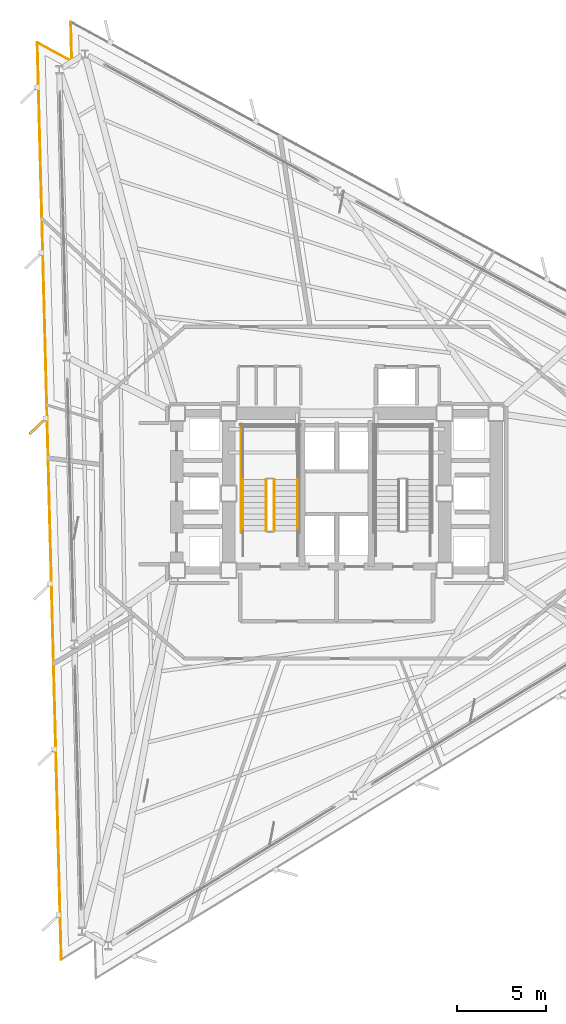
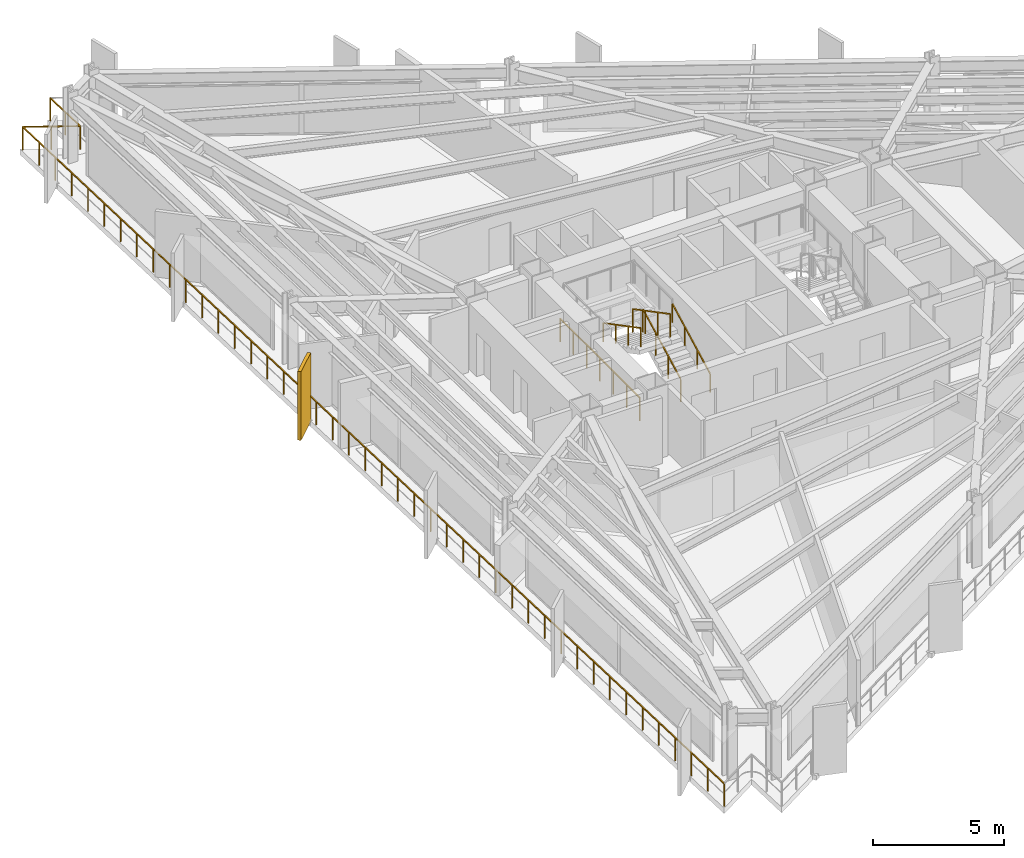
# One storey, part 12 of 14: 6 railings, 1 shading device.
"""IFC4 building model written with IfcOpenShell, lengths in metres."""

from ifc_helpers import new_model, si_unit, direction, frame, origin, origin_2d, place, context, subcontext, project, spatial, rectangle, extrude, material, layer, layer_set, type_object, element, save


model = new_model("IFC4")

# Units and contexts
model_context = context("Model", 3, precision=1e-05, world=origin(), true_north=direction((0.0, 1.0)))
body_context = subcontext(model_context, "Body", "Model", "MODEL_VIEW")
ifc_project = project(units=[si_unit("LENGTHUNIT", "METRE"), si_unit("AREAUNIT", "SQUARE_METRE"), si_unit("VOLUMEUNIT", "CUBIC_METRE"), si_unit("PLANEANGLEUNIT", "RADIAN"), si_unit("MASSUNIT", "GRAM", prefix="KILO")], contexts=[model_context])

# Site, building, storey
site_placement = place(None, origin())
site = spatial("IfcSite", under=ifc_project, at=site_placement, CompositionType="ELEMENT")
building_placement = place(site_placement, origin())
building = spatial("IfcBuilding", under=site, at=building_placement, Name="Rocaltana Carrier Exchange", CompositionType="ELEMENT")
storey_placement = place(building_placement, frame((0.0, 0.0, 32.320068359375)))
storey = spatial("IfcBuildingStorey", under=building, at=storey_placement, Name="L10", CompositionType="ELEMENT", Elevation=32.320068359375)

# Railings
ifc_material_1 = material(Name="Brushed Architectural Stainless Tube", Category="steel")
ifc_layer_1 = layer(ifc_material_1, 0.048095703125)
ifc_layer_set_1 = layer_set([ifc_layer_1], Name="Brushed Architectural Stainless Tube")
railing_type_1 = type_object("IfcRailingType", Name="Stair Wall Handrail 920", PredefinedType="HANDRAIL", material=ifc_layer_set_1)
railing_1_placement = place(storey_placement, frame((-2.18994140625, -2.10009765625, 0.16796875)))
element("IfcRailing", 1, at=railing_1_placement, inside=storey, type_object=railing_type_1, Name="L10 ST-1 stair handrail 1", PredefinedType="HANDRAIL", context=body_context, shape_type="SweptSolid", body=[
    extrude(rectangle(XDim=0.048095703125, YDim=0.048095703125, at=origin_2d()), frame((0.0, 0.0, 0.8759765625), z_axis=(0.0, 0.885411030485, 0.464808893091), x_axis=(-1.0, 0.0, 0.0)), (0.0, 0.0, 1.0), 3.2529296875),
    extrude(rectangle(XDim=0.0419921875, YDim=0.0419921875, at=origin_2d()), origin(), (0.0, 0.0, 1.0), 0.851806640625),
    extrude(rectangle(XDim=0.0419921875, YDim=0.0419921875, at=origin_2d()), frame((0.0, 0.9599609375, 0.50390625)), (0.0, 0.0, 1.0), 0.851806640625),
    extrude(rectangle(XDim=0.0419921875, YDim=0.0419921875, at=origin_2d()), frame((0.0, 1.920166015625, 1.008056640625)), (0.0, 0.0, 1.0), 0.851806640625),
    extrude(rectangle(XDim=0.0419921875, YDim=0.0419921875, at=origin_2d()), frame((0.0, 2.880126953125, 1.511962890625)), (0.0, 0.0, 1.0), 0.851806640625),
])
railing_2_placement = place(storey_placement, frame((-5.25, 0.780029296875, 1.847900390625)))
element("IfcRailing", 2, at=railing_2_placement, inside=storey, type_object=railing_type_1, Name="L10 ST-1 stair handrail 2", PredefinedType="HANDRAIL", context=body_context, shape_type="SweptSolid", body=[
    extrude(rectangle(XDim=0.048095703125, YDim=0.048095703125, at=origin_2d()), frame((0.0, 0.0, 0.8759765625), z_axis=(0.0, -0.885411030485, 0.464808893091), x_axis=(1.0, 0.0, 0.0)), (0.0, 0.0, 1.0), 3.2529296875),
    extrude(rectangle(XDim=0.0419921875, YDim=0.0419921875, at=origin_2d()), origin(), (0.0, 0.0, 1.0), 0.851806640625),
    extrude(rectangle(XDim=0.0419921875, YDim=0.0419921875, at=origin_2d()), frame((0.0, -0.9599609375, 0.50390625)), (0.0, 0.0, 1.0), 0.851806640625),
    extrude(rectangle(XDim=0.0419921875, YDim=0.0419921875, at=origin_2d()), frame((0.0, -1.920166015625, 1.008056640625)), (0.0, 0.0, 1.0), 0.851806640625),
    extrude(rectangle(XDim=0.0419921875, YDim=0.0419921875, at=origin_2d()), frame((0.0, -2.880126953125, 1.511962890625)), (0.0, 0.0, 1.0), 0.851806640625),
])
ifc_material_2 = material(Name="Powder-Coated Aluminium 6063-T6", Category="aluminium")
ifc_layer_2 = layer(ifc_material_2, 0.048095703125)
ifc_layer_set_2 = layer_set([ifc_layer_2], Name="Powder-Coated Aluminium 6063-T6")
railing_type_2 = type_object("IfcRailingType", Name="Stair Well Guardrail 1100", PredefinedType="GUARDRAIL", material=ifc_layer_set_2)
railing_3_placement = place(storey_placement, frame((-3.489990234375, -2.10009765625, 0.16796875)))
element("IfcRailing", 3, at=railing_3_placement, inside=storey, type_object=railing_type_2, Name="L10 ST-1 stair guard 1", PredefinedType="GUARDRAIL", context=body_context, shape_type="SweptSolid", body=[
    extrude(rectangle(XDim=0.048095703125, YDim=0.048095703125, at=origin_2d()), frame((0.0, 0.0, 1.076171875), z_axis=(0.0, 0.885411030485, 0.464808893091), x_axis=(-1.0, 0.0, 0.0)), (0.0, 0.0, 1.0), 3.2529296875),
    extrude(rectangle(XDim=0.0419921875, YDim=0.0419921875, at=origin_2d()), origin(), (0.0, 0.0, 1.0), 1.052001953125),
    extrude(rectangle(XDim=0.0419921875, YDim=0.0419921875, at=origin_2d()), frame((0.0, 0.9599609375, 0.50390625)), (0.0, 0.0, 1.0), 1.052001953125),
    extrude(rectangle(XDim=0.0419921875, YDim=0.0419921875, at=origin_2d()), frame((0.0, 1.920166015625, 1.008056640625)), (0.0, 0.0, 1.0), 1.052001953125),
    extrude(rectangle(XDim=0.0419921875, YDim=0.0419921875, at=origin_2d()), frame((0.0, 2.880126953125, 1.511962890625)), (0.0, 0.0, 1.0), 1.052001953125),
])
railing_4_placement = place(storey_placement, frame((-3.949951171875, 0.780029296875, 1.847900390625)))
element("IfcRailing", 4, at=railing_4_placement, inside=storey, type_object=railing_type_2, Name="L10 ST-1 stair guard 6", PredefinedType="GUARDRAIL", context=body_context, shape_type="SweptSolid", body=[
    extrude(rectangle(XDim=0.048095703125, YDim=0.048095703125, at=origin_2d()), frame((0.0, 0.0, 1.076171875), z_axis=(0.0, -0.885411030485, 0.464808893091), x_axis=(1.0, 0.0, 0.0)), (0.0, 0.0, 1.0), 3.2529296875),
    extrude(rectangle(XDim=0.0419921875, YDim=0.0419921875, at=origin_2d()), origin(), (0.0, 0.0, 1.0), 1.052001953125),
    extrude(rectangle(XDim=0.0419921875, YDim=0.0419921875, at=origin_2d()), frame((0.0, -0.9599609375, 0.50390625)), (0.0, 0.0, 1.0), 1.052001953125),
    extrude(rectangle(XDim=0.0419921875, YDim=0.0419921875, at=origin_2d()), frame((0.0, -1.920166015625, 1.008056640625)), (0.0, 0.0, 1.0), 1.052001953125),
    extrude(rectangle(XDim=0.0419921875, YDim=0.0419921875, at=origin_2d()), frame((0.0, -2.880126953125, 1.511962890625)), (0.0, 0.0, 1.0), 1.052001953125),
])
railing_5_placement = place(storey_placement, frame((-5.35009765625, -2.199951171875, 0.0)))
element("IfcRailing", 5, at=railing_5_placement, inside=storey, type_object=railing_type_2, Name="L10 ST-1 stair guard 11", PredefinedType="GUARDRAIL", context=body_context, shape_type="SweptSolid", body=[
    extrude(rectangle(XDim=0.048095703125, YDim=0.048095703125, at=origin_2d()), frame((0.0, 0.0, 1.076171875), z_axis=(0.0, 1.0, 0.0), x_axis=(-1.0, 0.0, 0.0)), (0.0, 0.0, 1.0), 6.099853515625),
    extrude(rectangle(XDim=0.0419921875, YDim=0.0419921875, at=origin_2d()), origin(), (0.0, 0.0, 1.0), 1.052001953125),
    extrude(rectangle(XDim=0.0419921875, YDim=0.0419921875, at=origin_2d()), frame((0.0, 1.0166015625, 0.0)), (0.0, 0.0, 1.0), 1.052001953125),
    extrude(rectangle(XDim=0.0419921875, YDim=0.0419921875, at=origin_2d()), frame((0.0, 2.033203125, 0.0)), (0.0, 0.0, 1.0), 1.052001953125),
    extrude(rectangle(XDim=0.0419921875, YDim=0.0419921875, at=origin_2d()), frame((0.0, 3.0498046875, 0.0)), (0.0, 0.0, 1.0), 1.052001953125),
    extrude(rectangle(XDim=0.0419921875, YDim=0.0419921875, at=origin_2d()), frame((0.0, 4.066650390625, 0.0)), (0.0, 0.0, 1.0), 1.052001953125),
    extrude(rectangle(XDim=0.0419921875, YDim=0.0419921875, at=origin_2d()), frame((0.0, 5.083251953125, 0.0)), (0.0, 0.0, 1.0), 1.052001953125),
    extrude(rectangle(XDim=0.0419921875, YDim=0.0419921875, at=origin_2d()), frame((0.0, 6.099853515625, 0.0)), (0.0, 0.0, 1.0), 1.052001953125),
])

# Shading device
ifc_material_3 = material(Name="Honed Bogota Sandstone & Concrete C45/55", Category="masonry")
ifc_layer_3 = layer(ifc_material_3, 0.139892578125)
ifc_layer_set_3 = layer_set([ifc_layer_3], Name="Honed Bogota Sandstone & Concrete C45/55")
shading_device_type = type_object("IfcShadingDeviceType", Name="Vertical Sandstone Shading Fin 1320x140", PredefinedType="USERDEFINED", material=ifc_layer_set_3)
shading_device_placement = place(storey_placement, frame((-16.7314453125, 3.78857421875, -0.1201171875), z_axis=(0.0, 0.0, 1.0), x_axis=(-0.725374371012, -0.688354575694, 0.0)))
element("IfcShadingDevice", 6, at=shading_device_placement, inside=storey, type_object=shading_device_type, Name="L10 Sandstone Vertical Fin F2-03", ObjectType="FIN", PredefinedType="USERDEFINED", context=body_context, shape_type="SweptSolid", body=[
    extrude(rectangle(XDim=1.320068359375, YDim=0.139892578125, at=origin_2d()), origin(), (0.0, 0.0, 1.0), 3.218017578125),
])

# Railing
ifc_material_4 = material(Name="Powder-Coated Aluminium 6063-T6", Category="aluminium")
ifc_layer_4 = layer(ifc_material_4, 0.06005859375)
ifc_layer_set_4 = layer_set([ifc_layer_4], Name="Powder-Coated Aluminium 6063-T6")
railing_type_3 = type_object("IfcRailingType", Name="Wind-Floor & Terrace Perimeter Guardrail 1100", PredefinedType="GUARDRAIL", material=ifc_layer_set_4)
railing_6_placement = place(storey_placement, frame((-15.427490234375, -26.10888671875, 0.0)))
element("IfcRailing", 7, at=railing_6_placement, inside=storey, type_object=railing_type_3, Name="L10 Perimeter Balcony Guardrail 2", PredefinedType="GUARDRAIL", context=body_context, shape_type="SweptSolid", body=[
    extrude(rectangle(XDim=0.048095703125, YDim=0.048095703125, at=origin_2d()), frame((0.0, 0.0, 1.076171875), z_axis=(-0.02618025491, 0.999657238384, 0.0), x_axis=(-0.999657238384, -0.02618025491, 0.0)), (0.0, 0.0, 1.0), 51.39208984375),
    extrude(rectangle(XDim=0.048095703125, YDim=0.048095703125, at=origin_2d()), frame((-1.345458984375, 51.37451171875, 1.076171875), z_axis=(0.878801578058, -0.477187370331, 0.0), x_axis=(0.477187370331, 0.878801578058, 0.0)), (0.0, 0.0, 1.0), 2.199951171875),
    extrude(rectangle(XDim=0.048095703125, YDim=0.048095703125, at=origin_2d()), frame((0.587890625, 50.32470703125, 1.076171875), z_axis=(-0.026187042546, 0.999657060598, 0.0), x_axis=(-0.999657060598, -0.026187042546, 0.0)), (0.0, 0.0, 1.0), 2.2001953125),
    extrude(rectangle(XDim=0.0419921875, YDim=0.0419921875, at=origin_2d()), origin(), (0.0, 0.0, 1.0), 1.052001953125),
    extrude(rectangle(XDim=0.0419921875, YDim=0.0419921875, at=origin_2d()), frame((-0.03125, 1.19482421875, 0.0)), (0.0, 0.0, 1.0), 1.052001953125),
    extrude(rectangle(XDim=0.0419921875, YDim=0.0419921875, at=origin_2d()), frame((-0.0625, 2.389404296875, 0.0)), (0.0, 0.0, 1.0), 1.052001953125),
    extrude(rectangle(XDim=0.0419921875, YDim=0.0419921875, at=origin_2d()), frame((-0.09375, 3.584228515625, 0.0)), (0.0, 0.0, 1.0), 1.052001953125),
    extrude(rectangle(XDim=0.0419921875, YDim=0.0419921875, at=origin_2d()), frame((-0.125244140625, 4.779052734375, 0.0)), (0.0, 0.0, 1.0), 1.052001953125),
    extrude(rectangle(XDim=0.0419921875, YDim=0.0419921875, at=origin_2d()), frame((-0.156494140625, 5.973876953125, 0.0)), (0.0, 0.0, 1.0), 1.052001953125),
    extrude(rectangle(XDim=0.0419921875, YDim=0.0419921875, at=origin_2d()), frame((-0.187744140625, 7.16845703125, 0.0)), (0.0, 0.0, 1.0), 1.052001953125),
    extrude(rectangle(XDim=0.0419921875, YDim=0.0419921875, at=origin_2d()), frame((-0.218994140625, 8.36328125, 0.0)), (0.0, 0.0, 1.0), 1.052001953125),
    extrude(rectangle(XDim=0.0419921875, YDim=0.0419921875, at=origin_2d()), frame((-0.250244140625, 9.55810546875, 0.0)), (0.0, 0.0, 1.0), 1.052001953125),
    extrude(rectangle(XDim=0.0419921875, YDim=0.0419921875, at=origin_2d()), frame((-0.281494140625, 10.752685546875, 0.0)), (0.0, 0.0, 1.0), 1.052001953125),
    extrude(rectangle(XDim=0.0419921875, YDim=0.0419921875, at=origin_2d()), frame((-0.31298828125, 11.947509765625, 0.0)), (0.0, 0.0, 1.0), 1.052001953125),
    extrude(rectangle(XDim=0.0419921875, YDim=0.0419921875, at=origin_2d()), frame((-0.34423828125, 13.142333984375, 0.0)), (0.0, 0.0, 1.0), 1.052001953125),
    extrude(rectangle(XDim=0.0419921875, YDim=0.0419921875, at=origin_2d()), frame((-0.37548828125, 14.337158203125, 0.0)), (0.0, 0.0, 1.0), 1.052001953125),
    extrude(rectangle(XDim=0.0419921875, YDim=0.0419921875, at=origin_2d()), frame((-0.40673828125, 15.53173828125, 0.0)), (0.0, 0.0, 1.0), 1.052001953125),
    extrude(rectangle(XDim=0.0419921875, YDim=0.0419921875, at=origin_2d()), frame((-0.43798828125, 16.7265625, 0.0)), (0.0, 0.0, 1.0), 1.052001953125),
    extrude(rectangle(XDim=0.0419921875, YDim=0.0419921875, at=origin_2d()), frame((-0.46923828125, 17.92138671875, 0.0)), (0.0, 0.0, 1.0), 1.052001953125),
    extrude(rectangle(XDim=0.0419921875, YDim=0.0419921875, at=origin_2d()), frame((-0.500732421875, 19.1162109375, 0.0)), (0.0, 0.0, 1.0), 1.052001953125),
    extrude(rectangle(XDim=0.0419921875, YDim=0.0419921875, at=origin_2d()), frame((-0.531982421875, 20.310791015625, 0.0)), (0.0, 0.0, 1.0), 1.052001953125),
    extrude(rectangle(XDim=0.0419921875, YDim=0.0419921875, at=origin_2d()), frame((-0.563232421875, 21.505615234375, 0.0)), (0.0, 0.0, 1.0), 1.052001953125),
    extrude(rectangle(XDim=0.0419921875, YDim=0.0419921875, at=origin_2d()), frame((-0.594482421875, 22.700439453125, 0.0)), (0.0, 0.0, 1.0), 1.052001953125),
    extrude(rectangle(XDim=0.0419921875, YDim=0.0419921875, at=origin_2d()), frame((-0.625732421875, 23.89501953125, 0.0)), (0.0, 0.0, 1.0), 1.052001953125),
    extrude(rectangle(XDim=0.0419921875, YDim=0.0419921875, at=origin_2d()), frame((-0.656982421875, 25.08984375, 0.0)), (0.0, 0.0, 1.0), 1.052001953125),
    extrude(rectangle(XDim=0.0419921875, YDim=0.0419921875, at=origin_2d()), frame((-0.6884765625, 26.28466796875, 0.0)), (0.0, 0.0, 1.0), 1.052001953125),
    extrude(rectangle(XDim=0.0419921875, YDim=0.0419921875, at=origin_2d()), frame((-0.7197265625, 27.4794921875, 0.0)), (0.0, 0.0, 1.0), 1.052001953125),
    extrude(rectangle(XDim=0.0419921875, YDim=0.0419921875, at=origin_2d()), frame((-0.7509765625, 28.674072265625, 0.0)), (0.0, 0.0, 1.0), 1.052001953125),
    extrude(rectangle(XDim=0.0419921875, YDim=0.0419921875, at=origin_2d()), frame((-0.7822265625, 29.868896484375, 0.0)), (0.0, 0.0, 1.0), 1.052001953125),
    extrude(rectangle(XDim=0.0419921875, YDim=0.0419921875, at=origin_2d()), frame((-0.8134765625, 31.063720703125, 0.0)), (0.0, 0.0, 1.0), 1.052001953125),
    extrude(rectangle(XDim=0.0419921875, YDim=0.0419921875, at=origin_2d()), frame((-0.8447265625, 32.25830078125, 0.0)), (0.0, 0.0, 1.0), 1.052001953125),
    extrude(rectangle(XDim=0.0419921875, YDim=0.0419921875, at=origin_2d()), frame((-0.876220703125, 33.453125, 0.0)), (0.0, 0.0, 1.0), 1.052001953125),
    extrude(rectangle(XDim=0.0419921875, YDim=0.0419921875, at=origin_2d()), frame((-0.907470703125, 34.64794921875, 0.0)), (0.0, 0.0, 1.0), 1.052001953125),
    extrude(rectangle(XDim=0.0419921875, YDim=0.0419921875, at=origin_2d()), frame((-0.938720703125, 35.8427734375, 0.0)), (0.0, 0.0, 1.0), 1.052001953125),
    extrude(rectangle(XDim=0.0419921875, YDim=0.0419921875, at=origin_2d()), frame((-0.969970703125, 37.037353515625, 0.0)), (0.0, 0.0, 1.0), 1.052001953125),
    extrude(rectangle(XDim=0.0419921875, YDim=0.0419921875, at=origin_2d()), frame((-1.001220703125, 38.232177734375, 0.0)), (0.0, 0.0, 1.0), 1.052001953125),
    extrude(rectangle(XDim=0.0419921875, YDim=0.0419921875, at=origin_2d()), frame((-1.032470703125, 39.427001953125, 0.0)), (0.0, 0.0, 1.0), 1.052001953125),
    extrude(rectangle(XDim=0.0419921875, YDim=0.0419921875, at=origin_2d()), frame((-1.06396484375, 40.621826171875, 0.0)), (0.0, 0.0, 1.0), 1.052001953125),
    extrude(rectangle(XDim=0.0419921875, YDim=0.0419921875, at=origin_2d()), frame((-1.09521484375, 41.81640625, 0.0)), (0.0, 0.0, 1.0), 1.052001953125),
    extrude(rectangle(XDim=0.0419921875, YDim=0.0419921875, at=origin_2d()), frame((-1.12646484375, 43.01123046875, 0.0)), (0.0, 0.0, 1.0), 1.052001953125),
    extrude(rectangle(XDim=0.0419921875, YDim=0.0419921875, at=origin_2d()), frame((-1.15771484375, 44.2060546875, 0.0)), (0.0, 0.0, 1.0), 1.052001953125),
    extrude(rectangle(XDim=0.0419921875, YDim=0.0419921875, at=origin_2d()), frame((-1.18896484375, 45.400634765625, 0.0)), (0.0, 0.0, 1.0), 1.052001953125),
    extrude(rectangle(XDim=0.0419921875, YDim=0.0419921875, at=origin_2d()), frame((-1.22021484375, 46.595458984375, 0.0)), (0.0, 0.0, 1.0), 1.052001953125),
    extrude(rectangle(XDim=0.0419921875, YDim=0.0419921875, at=origin_2d()), frame((-1.251708984375, 47.790283203125, 0.0)), (0.0, 0.0, 1.0), 1.052001953125),
    extrude(rectangle(XDim=0.0419921875, YDim=0.0419921875, at=origin_2d()), frame((-1.282958984375, 48.985107421875, 0.0)), (0.0, 0.0, 1.0), 1.052001953125),
    extrude(rectangle(XDim=0.0419921875, YDim=0.0419921875, at=origin_2d()), frame((-1.314208984375, 50.1796875, 0.0)), (0.0, 0.0, 1.0), 1.052001953125),
    extrude(rectangle(XDim=0.0419921875, YDim=0.0419921875, at=origin_2d()), frame((-1.345458984375, 51.37451171875, 0.0)), (0.0, 0.0, 1.0), 1.052001953125),
    extrude(rectangle(XDim=0.0419921875, YDim=0.0419921875, at=origin_2d()), frame((-0.37890625, 50.849609375, 0.0)), (0.0, 0.0, 1.0), 1.052001953125),
    extrude(rectangle(XDim=0.0419921875, YDim=0.0419921875, at=origin_2d()), frame((0.587890625, 50.32470703125, 0.0)), (0.0, 0.0, 1.0), 1.052001953125),
    extrude(rectangle(XDim=0.0419921875, YDim=0.0419921875, at=origin_2d()), frame((0.55908203125, 51.42431640625, 0.0)), (0.0, 0.0, 1.0), 1.052001953125),
    extrude(rectangle(XDim=0.0419921875, YDim=0.0419921875, at=origin_2d()), frame((0.5302734375, 52.524169921875, 0.0)), (0.0, 0.0, 1.0), 1.052001953125),
])

save(model, "model.ifc")
